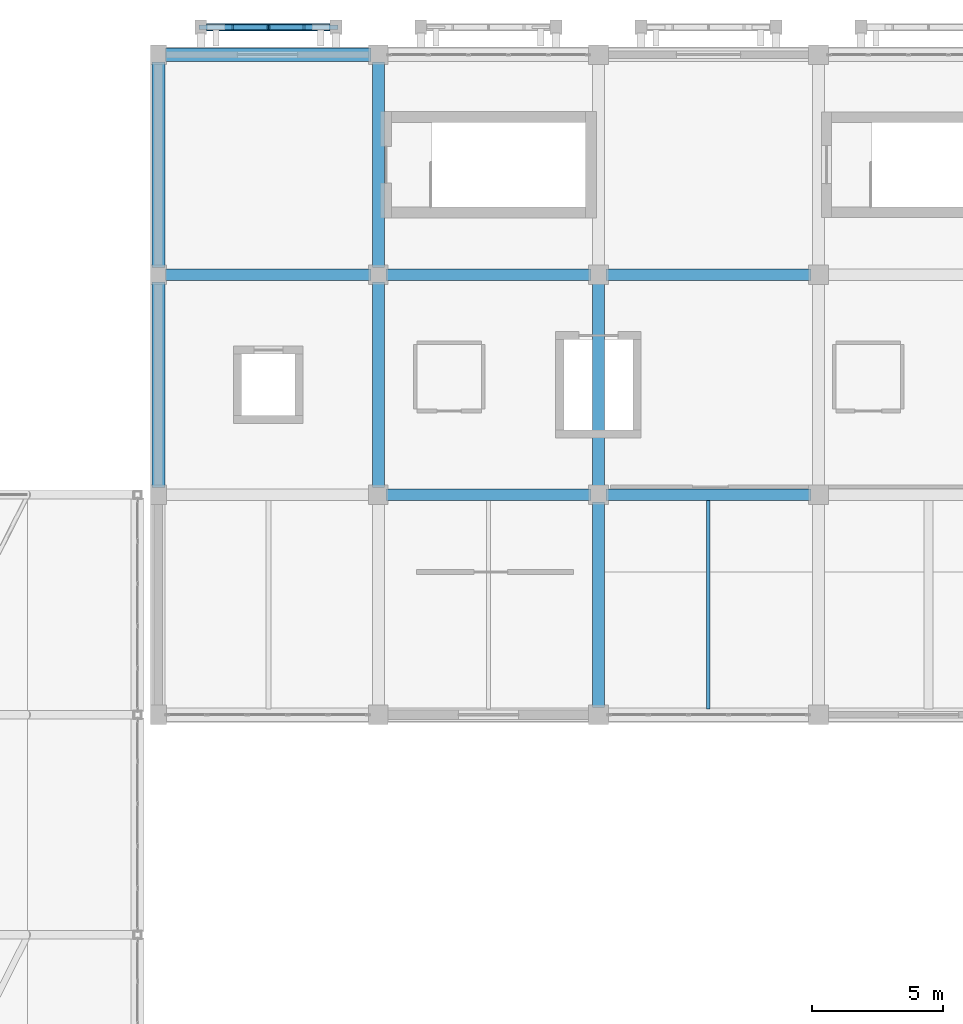
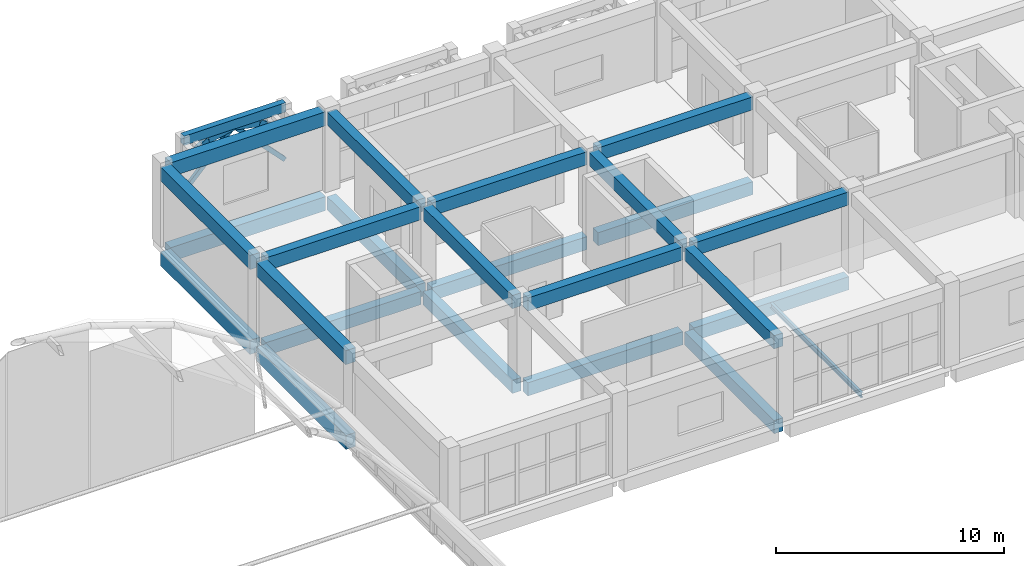
# One storey, part 74 of 114: 25 beams, 6 members.
"""IFC4 building model written with IfcOpenShell, lengths in metres."""

from ifc_helpers import new_model, si_unit, direction, frame, origin, origin_2d, place, context, subcontext, project, spatial, rectangle, i_section, extrude, material, material_profile, profile_set, type_object, element, save


model = new_model("IFC4")

# Units and contexts
model_context = context("Model", 3, precision=1e-05, world=origin(), true_north=direction((0.0, 1.0)))
body_context = subcontext(model_context, "Body", "Model", "MODEL_VIEW")
ifc_project = project(units=[si_unit("LENGTHUNIT", "METRE"), si_unit("AREAUNIT", "SQUARE_METRE"), si_unit("VOLUMEUNIT", "CUBIC_METRE"), si_unit("PLANEANGLEUNIT", "RADIAN"), si_unit("MASSUNIT", "GRAM", prefix="KILO")], contexts=[model_context])

# Site, building, storey
site_placement = place(None, origin())
site = spatial("IfcSite", under=ifc_project, at=site_placement, CompositionType="ELEMENT")
building_placement = place(site_placement, origin())
building = spatial("IfcBuilding", under=site, at=building_placement, Name="Xazarin Passage Department Store", CompositionType="ELEMENT")
storey_placement = place(building_placement, frame((0.0, 0.0, 14.39990234375)))
storey = spatial("IfcBuildingStorey", under=building, at=storey_placement, Name="L03", CompositionType="ELEMENT", Elevation=14.39990234375)

# Beams
ifc_material_1 = material(Name="Concrete C35/45", Category="concrete")
ifc_material_profile_1 = material_profile(ifc_material_1, rectangle(XDim=0.449951171875, YDim=0.699951171875, at=origin_2d()), Name="RC 450x700")
ifc_profile_set_1 = profile_set([ifc_material_profile_1], Name="Concrete C35/45")
beam_type_1 = type_object("IfcBeamType", Name="STR-BM-G450x700", PredefinedType="BEAM", material=ifc_profile_set_1)
beam_1_placement = place(storey_placement, frame((111.080078125, 93.199951171875, -0.64990234375), z_axis=(1.0, 0.0, 0.0), x_axis=(0.0, 1.0, 0.0)))
element("IfcBeam", 1, at=beam_1_placement, inside=storey, type_object=beam_type_1, Name="L03 Grid Beam N/16-17", PredefinedType="BEAM", context=body_context, shape_type="SweptSolid", body=[
    extrude(rectangle(XDim=0.449951171875, YDim=0.699951171875, at=origin_2d()), origin(), (0.0, 0.0, 1.0), 7.83984375),
])
for number, where, z_axis, x_axis, name in (
    (2, (119.47998046875, 93.199951171875, -0.64990234375), (1.0, 0.0, 0.0), (0.0, 1.0, 0.0), "L03 Grid Beam N/17-18"),
    (3, (102.679931640625, 101.60009765625, -0.64990234375), (1.0, 0.0, 0.0), (0.0, 1.0, 0.0), "L03 Grid Beam P/15-16"),
):
    element("IfcBeam", number, at=place(storey_placement, frame(where, z_axis=z_axis, x_axis=x_axis)), inside=storey, type_object=beam_type_1, Name=name, PredefinedType="BEAM", context=body_context, shape_type="SweptSolid", body=[
        extrude(rectangle(XDim=0.449951171875, YDim=0.699951171875, at=origin_2d()), origin(), (0.0, 0.0, 1.0), 7.840087890625),
    ])
beam_2_placement = place(storey_placement, frame((111.080078125, 101.60009765625, -0.64990234375), z_axis=(1.0, 0.0, 0.0), x_axis=(0.0, 1.0, 0.0)))
element("IfcBeam", 4, at=beam_2_placement, inside=storey, type_object=beam_type_1, Name="L03 Grid Beam P/16-17", PredefinedType="BEAM", context=body_context, shape_type="SweptSolid", body=[
    extrude(rectangle(XDim=0.449951171875, YDim=0.699951171875, at=origin_2d()), origin(), (0.0, 0.0, 1.0), 7.83984375),
])
for number, where, z_axis, x_axis, name in (
    (5, (119.47998046875, 101.60009765625, -0.64990234375), (1.0, 0.0, 0.0), (0.0, 1.0, 0.0), "L03 Grid Beam P/17-18"),
    (6, (110.800048828125, 93.47998046875, -0.64990234375), (0.0, 1.0, 0.0), (-1.0, 0.0, 0.0), "L03 Grid Beam 16/N-P"),
    (7, (110.800048828125, 101.8798828125, -0.64990234375), (0.0, 1.0, 0.0), (-1.0, 0.0, 0.0), "L03 Grid Beam 16/P-Q"),
):
    element("IfcBeam", number, at=place(storey_placement, frame(where, z_axis=z_axis, x_axis=x_axis)), inside=storey, type_object=beam_type_1, Name=name, PredefinedType="BEAM", context=body_context, shape_type="SweptSolid", body=[
        extrude(rectangle(XDim=0.449951171875, YDim=0.699951171875, at=origin_2d()), origin(), (0.0, 0.0, 1.0), 7.840087890625),
    ])
for number, where, z_axis, x_axis, name in (
    (8, (119.199951171875, 85.080078125, -0.64990234375), (0.0, 1.0, 0.0), (-1.0, 0.0, 0.0), "L03 Grid Beam 17/M-N"),
    (9, (111.080078125, 93.199951171875, 3.89013671875), (1.0, 0.0, 0.0), (0.0, 1.0, 0.0), "L03 Grid Beam N/16-17"),
):
    element("IfcBeam", number, at=place(storey_placement, frame(where, z_axis=z_axis, x_axis=x_axis)), inside=storey, type_object=beam_type_1, Name=name, PredefinedType="BEAM", context=body_context, shape_type="SweptSolid", body=[
        extrude(rectangle(XDim=0.449951171875, YDim=0.699951171875, at=origin_2d()), origin(), (0.0, 0.0, 1.0), 7.83984375),
    ])
for number, where, z_axis, x_axis, name in (
    (10, (119.47998046875, 93.199951171875, 3.89013671875), (1.0, 0.0, 0.0), (0.0, 1.0, 0.0), "L03 Grid Beam N/17-18"),
    (11, (102.679931640625, 101.60009765625, 3.89013671875), (1.0, 0.0, 0.0), (0.0, 1.0, 0.0), "L03 Grid Beam P/15-16"),
):
    element("IfcBeam", number, at=place(storey_placement, frame(where, z_axis=z_axis, x_axis=x_axis)), inside=storey, type_object=beam_type_1, Name=name, PredefinedType="BEAM", context=body_context, shape_type="SweptSolid", body=[
        extrude(rectangle(XDim=0.449951171875, YDim=0.699951171875, at=origin_2d()), origin(), (0.0, 0.0, 1.0), 7.840087890625),
    ])
beam_3_placement = place(storey_placement, frame((111.080078125, 101.60009765625, 3.89013671875), z_axis=(1.0, 0.0, 0.0), x_axis=(0.0, 1.0, 0.0)))
element("IfcBeam", 12, at=beam_3_placement, inside=storey, type_object=beam_type_1, Name="L03 Grid Beam P/16-17", PredefinedType="BEAM", context=body_context, shape_type="SweptSolid", body=[
    extrude(rectangle(XDim=0.449951171875, YDim=0.699951171875, at=origin_2d()), origin(), (0.0, 0.0, 1.0), 7.83984375),
])
for number, where, z_axis, x_axis, name in (
    (13, (119.47998046875, 101.60009765625, 3.89013671875), (1.0, 0.0, 0.0), (0.0, 1.0, 0.0), "L03 Grid Beam P/17-18"),
    (14, (110.800048828125, 93.47998046875, 3.89013671875), (0.0, 1.0, 0.0), (-1.0, 0.0, 0.0), "L03 Grid Beam 16/N-P"),
    (15, (110.800048828125, 101.8798828125, 3.89013671875), (0.0, 1.0, 0.0), (-1.0, 0.0, 0.0), "L03 Grid Beam 16/P-Q"),
):
    element("IfcBeam", number, at=place(storey_placement, frame(where, z_axis=z_axis, x_axis=x_axis)), inside=storey, type_object=beam_type_1, Name=name, PredefinedType="BEAM", context=body_context, shape_type="SweptSolid", body=[
        extrude(rectangle(XDim=0.449951171875, YDim=0.699951171875, at=origin_2d()), origin(), (0.0, 0.0, 1.0), 7.840087890625),
    ])
beam_4_placement = place(storey_placement, frame((119.199951171875, 85.080078125, 3.89013671875), z_axis=(0.0, 1.0, 0.0), x_axis=(-1.0, 0.0, 0.0)))
element("IfcBeam", 16, at=beam_4_placement, inside=storey, type_object=beam_type_1, Name="L03 Grid Beam 17/M-N", PredefinedType="BEAM", context=body_context, shape_type="SweptSolid", body=[
    extrude(rectangle(XDim=0.449951171875, YDim=0.699951171875, at=origin_2d()), origin(), (0.0, 0.0, 1.0), 7.83984375),
])
beam_5_placement = place(storey_placement, frame((119.199951171875, 93.47998046875, 3.89013671875), z_axis=(0.0, 1.0, 0.0), x_axis=(-1.0, 0.0, 0.0)))
element("IfcBeam", 17, at=beam_5_placement, inside=storey, type_object=beam_type_1, Name="L03 Grid Beam 17/N-P", PredefinedType="BEAM", context=body_context, shape_type="SweptSolid", body=[
    extrude(rectangle(XDim=0.449951171875, YDim=0.699951171875, at=origin_2d()), origin(), (0.0, 0.0, 1.0), 7.840087890625),
])
ifc_material_profile_2 = material_profile(ifc_material_1, rectangle(XDim=0.300048828125, YDim=0.5, at=origin_2d()), Name="RC 300x500")
ifc_profile_set_2 = profile_set([ifc_material_profile_2], Name="Concrete C35/45")
beam_type_2 = type_object("IfcBeamType", Name="STR-BM-LN300x500", PredefinedType="LINTEL", material=ifc_profile_set_2)
beam_6_placement = place(storey_placement, frame((104.02001953125, 111.050048828125, 4.25), z_axis=(1.0, 0.0, 0.0), x_axis=(0.0, 1.0, 0.0)))
element("IfcBeam", 18, at=beam_6_placement, inside=storey, type_object=beam_type_2, Name="L03 V4 Colonnade Spandrel Beam 040", PredefinedType="LINTEL", context=body_context, shape_type="SweptSolid", body=[
    extrude(rectangle(XDim=0.300048828125, YDim=0.5, at=origin_2d()), origin(), (0.0, 0.0, 1.0), 5.159912109375),
])
ifc_material_2 = material(Name="Steel S355", Category="steel")
ifc_material_profile_3 = material_profile(ifc_material_2, i_section(OverallWidth=0.135009765625, OverallDepth=0.27001953125, WebThickness=0.006591796875, FlangeThickness=0.01025390625, FilletRadius=0.014892578125, at=origin_2d()), Name="IPE 270")
ifc_profile_set_3 = profile_set([ifc_material_profile_3], Name="Steel S355")
beam_type_3 = type_object("IfcBeamType", Name="STR-BM-SEC270", PredefinedType="LINTEL", material=ifc_profile_set_3)
beam_7_placement = place(storey_placement, frame((123.39990234375, 85.02001953125, -0.434814453125), z_axis=(0.0, 1.0, 0.0), x_axis=(-1.0, 0.0, 0.0)))
element("IfcBeam", 19, at=beam_7_placement, inside=storey, type_object=beam_type_3, Name="L03 Stockroom Secondary Joist 08", PredefinedType="LINTEL", context=body_context, shape_type="SweptSolid", body=[
    extrude(i_section(OverallWidth=0.135009765625, OverallDepth=0.27001953125, WebThickness=0.006591796875, FlangeThickness=0.01025390625, FilletRadius=0.014892578125, at=origin_2d()), origin(), (0.0, 0.0, 1.0), 7.9599609375),
])
ifc_material_profile_4 = material_profile(ifc_material_1, rectangle(XDim=0.5, YDim=0.75, at=origin_2d()), Name="RC 500x750")
ifc_profile_set_4 = profile_set([ifc_material_profile_4], Name="Concrete C35/45")
beam_type_4 = type_object("IfcBeamType", Name="STR-BM-SP500x750", PredefinedType="SPANDREL", material=ifc_profile_set_4)
for number, where, z_axis, x_axis, name in (
    (20, (102.679931640625, 110.0, -0.6748046875), (1.0, 0.0, 0.0), (0.0, 1.0, 0.0), "L03 Grid Beam Q/15-16"),
    (21, (102.39990234375, 93.47998046875, -0.6748046875), (0.0, 1.0, 0.0), (-1.0, 0.0, 0.0), "L03 Grid Beam 15/N-P"),
    (22, (102.39990234375, 101.8798828125, -0.6748046875), (0.0, 1.0, 0.0), (-1.0, 0.0, 0.0), "L03 Grid Beam 15/P-Q"),
    (23, (102.679931640625, 110.0, 3.864990234375), (1.0, 0.0, 0.0), (0.0, 1.0, 0.0), "L03 Grid Beam Q/15-16"),
    (24, (102.39990234375, 93.47998046875, 3.864990234375), (0.0, 1.0, 0.0), (-1.0, 0.0, 0.0), "L03 Grid Beam 15/N-P"),
    (25, (102.39990234375, 101.8798828125, 3.864990234375), (0.0, 1.0, 0.0), (-1.0, 0.0, 0.0), "L03 Grid Beam 15/P-Q"),
):
    element("IfcBeam", number, at=place(storey_placement, frame(where, z_axis=z_axis, x_axis=x_axis)), inside=storey, type_object=beam_type_4, Name=name, PredefinedType="SPANDREL", context=body_context, shape_type="SweptSolid", body=[
        extrude(rectangle(XDim=0.5, YDim=0.75, at=origin_2d()), origin(), (0.0, 0.0, 1.0), 7.840087890625),
    ])

# Members
ifc_material_3 = material(Name="Concrete C40/50", Category="concrete")
ifc_material_profile_5 = material_profile(ifc_material_3, rectangle(XDim=0.199951171875, YDim=0.360107421875, at=origin_2d()), Name="RC 200x360")
ifc_profile_set_5 = profile_set([ifc_material_profile_5], Name="Concrete C40/50")
member_type_1 = type_object("IfcMemberType", Name="STR-MEM-ARC360", PredefinedType="CHORD", material=ifc_profile_set_5)
member_1_placement = place(storey_placement, frame((104.02001953125, 111.050048828125, 2.830078125), z_axis=(0.79440903847, 0.0, 0.607383140692), x_axis=(0.0, 1.0, 0.0)))
element("IfcMember", 26, at=member_1_placement, inside=storey, type_object=member_type_1, Name="L03 V4 Pierced Lattice Curved Arch 040.1", PredefinedType="CHORD", context=body_context, shape_type="SweptSolid", body=[
    extrude(rectangle(XDim=0.199951171875, YDim=0.360107421875, at=origin_2d()), origin(), (0.0, 0.0, 1.0), 1.623779296875),
])
member_2_placement = place(storey_placement, frame((105.31005859375, 111.050048828125, 3.81640625), z_axis=(0.979744705887, 0.0, 0.200250621188), x_axis=(0.0, 1.0, 0.0)))
element("IfcMember", 27, at=member_2_placement, inside=storey, type_object=member_type_1, Name="L03 V4 Pierced Lattice Curved Arch 040.2", PredefinedType="CHORD", context=body_context, shape_type="SweptSolid", body=[
    extrude(rectangle(XDim=0.199951171875, YDim=0.360107421875, at=origin_2d()), origin(), (0.0, 0.0, 1.0), 1.316650390625),
])
member_3_placement = place(storey_placement, frame((106.60009765625, 111.050048828125, 4.080078125), z_axis=(0.979737268571, 0.0, -0.2002870055), x_axis=(0.0, 1.0, 0.0)))
element("IfcMember", 28, at=member_3_placement, inside=storey, type_object=member_type_1, Name="L03 V4 Pierced Lattice Curved Arch 040.3", PredefinedType="CHORD", context=body_context, shape_type="SweptSolid", body=[
    extrude(rectangle(XDim=0.199951171875, YDim=0.360107421875, at=origin_2d()), origin(), (0.0, 0.0, 1.0), 1.31640625),
])
member_4_placement = place(storey_placement, frame((107.889892578125, 111.050048828125, 3.81640625), z_axis=(0.79440903847, 0.0, -0.607383140692), x_axis=(0.0, 1.0, 0.0)))
element("IfcMember", 29, at=member_4_placement, inside=storey, type_object=member_type_1, Name="L03 V4 Pierced Lattice Curved Arch 040.4", PredefinedType="CHORD", context=body_context, shape_type="SweptSolid", body=[
    extrude(rectangle(XDim=0.199951171875, YDim=0.360107421875, at=origin_2d()), origin(), (0.0, 0.0, 1.0), 1.623779296875),
])
ifc_material_profile_6 = material_profile(ifc_material_3, rectangle(XDim=0.159912109375, YDim=0.219970703125, at=origin_2d()), Name="RC 160x220")
ifc_profile_set_6 = profile_set([ifc_material_profile_6], Name="Concrete C40/50")
member_type_2 = type_object("IfcMemberType", Name="STR-MEM-TRC220", PredefinedType="CHORD", material=ifc_profile_set_6)
for number, where, z_axis, x_axis, name in (
    (30, (106.60009765625, 111.050048828125, 4.080078125), (-0.693558444435, 0.0, -0.720400363793), (0.0, -1.0, 0.0), "L03 V4 Upper Lattice Tracery Arch 040L"),
    (31, (106.60009765625, 111.050048828125, 4.080078125), (0.693524382622, 0.0, -0.72043315492), (0.0, 1.0, 0.0), "L03 V4 Upper Lattice Tracery Arch 040R"),
):
    element("IfcMember", number, at=place(storey_placement, frame(where, z_axis=z_axis, x_axis=x_axis)), inside=storey, type_object=member_type_2, Name=name, PredefinedType="CHORD", context=body_context, shape_type="SweptSolid", body=[
        extrude(rectangle(XDim=0.159912109375, YDim=0.219970703125, at=origin_2d()), origin(), (0.0, 0.0, 1.0), 3.719970703125),
    ])

save(model, "model.ifc")
